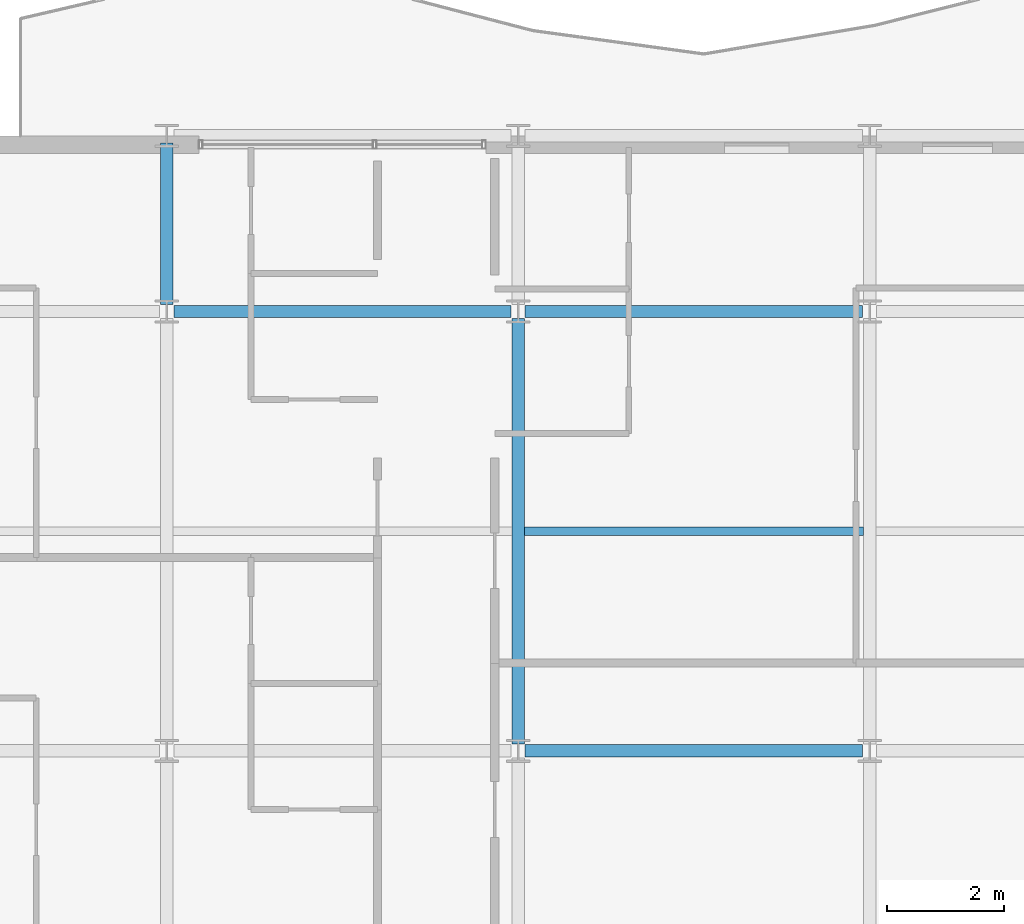
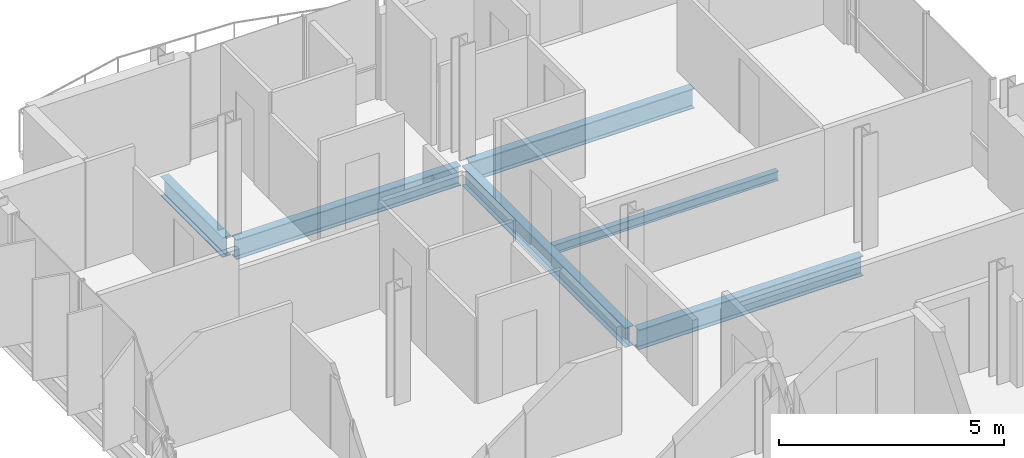
# One storey, part 6 of 29: 6 beams.
"""IFC4 building model written with IfcOpenShell, lengths in metres."""

from ifc_helpers import new_model, si_unit, direction, frame, origin, origin_2d, place, context, subcontext, project, spatial, i_section, extrude, material, material_profile, profile_set, type_object, element, save


model = new_model("IFC4")

# Units and contexts
model_context = context("Model", 3, precision=1e-05, world=origin(), true_north=direction((0.0, 1.0)))
body_context = subcontext(model_context, "Body", "Model", "MODEL_VIEW")
ifc_project = project(units=[si_unit("LENGTHUNIT", "METRE"), si_unit("AREAUNIT", "SQUARE_METRE"), si_unit("VOLUMEUNIT", "CUBIC_METRE"), si_unit("PLANEANGLEUNIT", "RADIAN"), si_unit("MASSUNIT", "GRAM", prefix="KILO")], contexts=[model_context])

# Site, building, storey
site_placement = place(None, origin())
site = spatial("IfcSite", under=ifc_project, at=site_placement, CompositionType="ELEMENT")
building_placement = place(site_placement, origin())
building = spatial("IfcBuilding", under=site, at=building_placement, Name="Brevholm Reach", CompositionType="ELEMENT")
storey_placement = place(building_placement, frame((0.0, 0.0, 198.699951171875)))
storey = spatial("IfcBuildingStorey", under=building, at=storey_placement, Name="L60", CompositionType="ELEMENT", Elevation=198.699951171875)

# Beams
ifc_material_1 = material(Name="Structural Steel S355J2", Category="steel")
ifc_material_profile_1 = material_profile(ifc_material_1, i_section(OverallWidth=0.14599609375, OverallDepth=0.25146484375, WebThickness=0.006103515625, FlangeThickness=0.008544921875, FilletRadius=0.007568359375, at=origin_2d()), Name="UKB 254x146x31")
ifc_profile_set_1 = profile_set([ifc_material_profile_1], Name="Structural Steel S355J2")
beam_type_1 = type_object("IfcBeamType", Name="BM-B254", PredefinedType="BEAM", material=ifc_profile_set_1)
beam_1_placement = place(storey_placement, frame((12.10546875, 19.75, -0.335693359375), z_axis=(1.0, 0.0, 0.0), x_axis=(0.0, 1.0, 0.0)))
element("IfcBeam", 1, at=beam_1_placement, inside=storey, type_object=beam_type_1, Name="L60 Composite Secondary Floor Beam", PredefinedType="BEAM", context=body_context, shape_type="SweptSolid", body=[
    extrude(i_section(OverallWidth=0.14599609375, OverallDepth=0.25146484375, WebThickness=0.006103515625, FlangeThickness=0.008544921875, FilletRadius=0.007568359375, at=origin_2d()), origin(), (0.0, 0.0, 1.0), 5.7890625),
])
ifc_material_2 = material(Name="Structural Steel S355J2", Category="steel")
ifc_material_profile_2 = material_profile(ifc_material_2, i_section(OverallWidth=0.210693359375, OverallDepth=0.53955078125, WebThickness=0.01171875, FlangeThickness=0.018798828125, FilletRadius=0.0126953125, at=origin_2d()), Name="UKB 533x210x109")
ifc_profile_set_2 = profile_set([ifc_material_profile_2], Name="Structural Steel S355J2")
beam_type_2 = type_object("IfcBeamType", Name="BM-SP539", PredefinedType="SPANDREL", material=ifc_profile_set_2)
for number, where, z_axis, x_axis, name in (
    (2, (12.1201171875, 16.0, -0.479736328125), (1.0, 0.0, 0.0), (0.0, 1.0, 0.0), "L60 SP-01B Framing Beam"),
    (3, (6.1201171875, 23.5, -0.479736328125), (1.0, 0.0, 0.0), (0.0, 1.0, 0.0), "L60 SP-01B Framing Beam"),
    (4, (12.1201171875, 23.5, -0.479736328125), (1.0, 0.0, 0.0), (0.0, 1.0, 0.0), "L60 SP-01B Framing Beam"),
):
    element("IfcBeam", number, at=place(storey_placement, frame(where, z_axis=z_axis, x_axis=x_axis)), inside=storey, type_object=beam_type_2, Name=name, PredefinedType="SPANDREL", context=body_context, shape_type="SweptSolid", body=[
        extrude(i_section(OverallWidth=0.210693359375, OverallDepth=0.53955078125, WebThickness=0.01171875, FlangeThickness=0.018798828125, FilletRadius=0.0126953125, at=origin_2d()), origin(), (0.0, 0.0, 1.0), 5.759765625),
    ])
beam_2_placement = place(storey_placement, frame((6.0, 23.6201171875, -0.479736328125), z_axis=(0.0, 1.0, 0.0), x_axis=(-1.0, 0.0, 0.0)))
element("IfcBeam", 5, at=beam_2_placement, inside=storey, type_object=beam_type_2, Name="L60 SP-01B Framing Beam", PredefinedType="SPANDREL", context=body_context, shape_type="SweptSolid", body=[
    extrude(i_section(OverallWidth=0.210693359375, OverallDepth=0.53955078125, WebThickness=0.01171875, FlangeThickness=0.018798828125, FilletRadius=0.0126953125, at=origin_2d()), origin(), (0.0, 0.0, 1.0), 2.759765625),
])
beam_3_placement = place(storey_placement, frame((12.0, 16.1201171875, -0.479736328125), z_axis=(0.0, 1.0, 0.0), x_axis=(-1.0, 0.0, 0.0)))
element("IfcBeam", 6, at=beam_3_placement, inside=storey, type_object=beam_type_2, Name="L60 SP-01B Framing Beam", PredefinedType="SPANDREL", context=body_context, shape_type="SweptSolid", body=[
    extrude(i_section(OverallWidth=0.210693359375, OverallDepth=0.53955078125, WebThickness=0.01171875, FlangeThickness=0.018798828125, FilletRadius=0.0126953125, at=origin_2d()), origin(), (0.0, 0.0, 1.0), 7.259765625),
])

save(model, "model.ifc")
